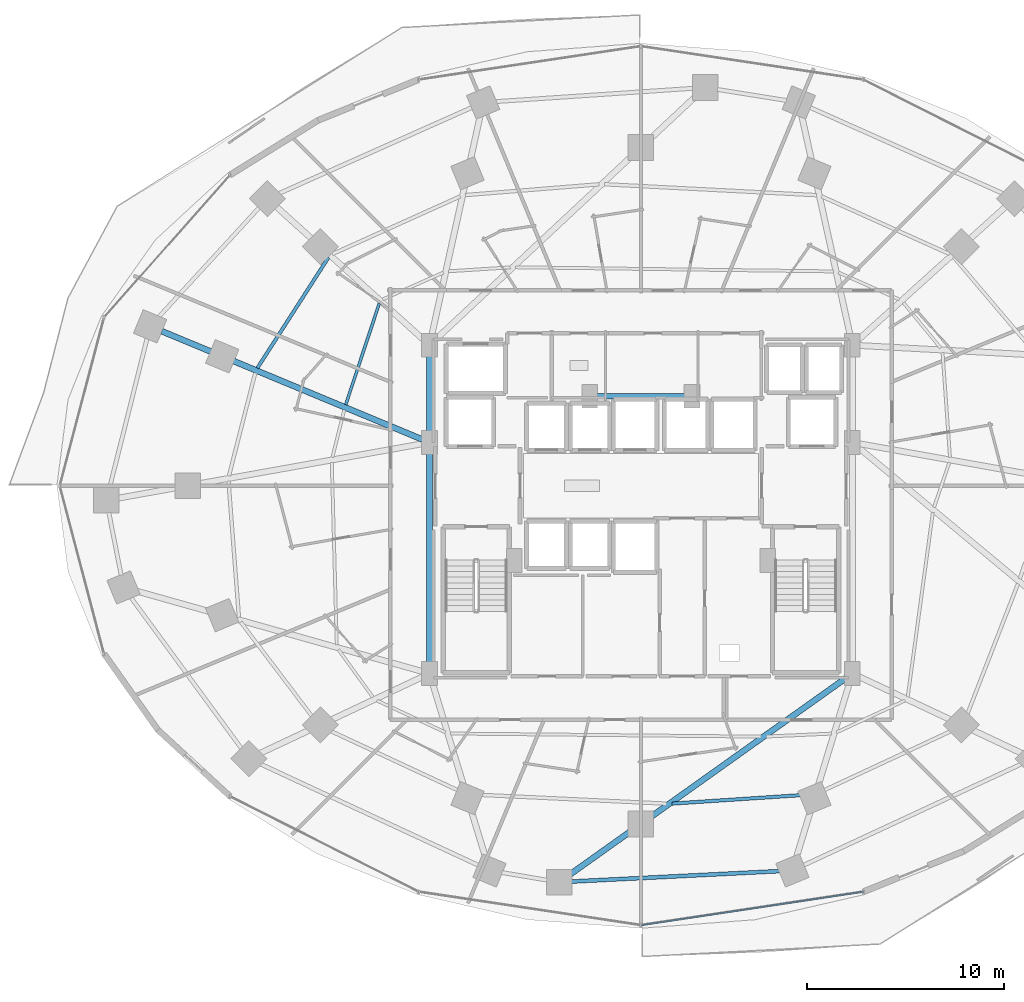
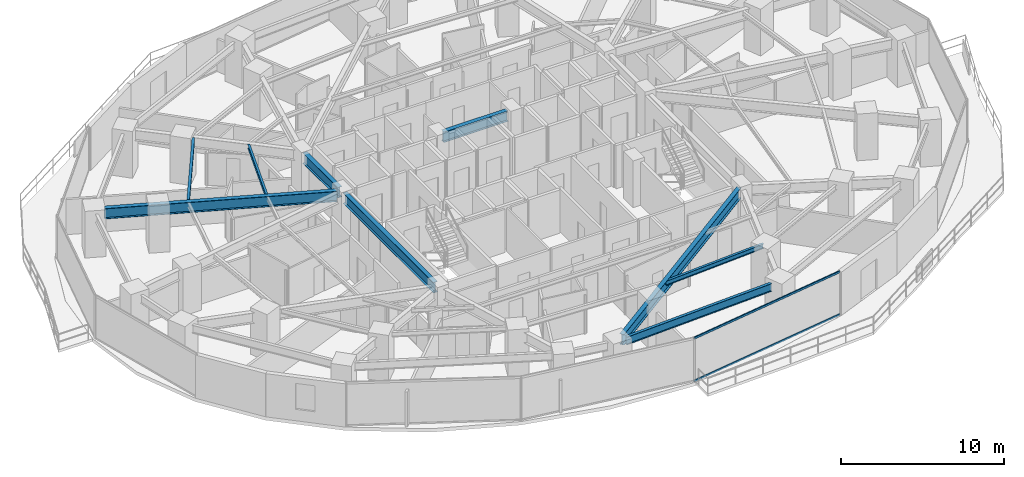
# One storey, part 11 of 34: 9 beams, 2 members, 1 element without a shape of its own.
"""IFC4 building model written with IfcOpenShell, lengths in metres."""

from ifc_helpers import new_model, si_unit, direction, frame, origin, origin_2d, place, context, subcontext, project, spatial, hollow_rectangle, i_section, extrude, material, material_profile, profile_set, type_object, element, aggregate, save


model = new_model("IFC4")

# Units and contexts
model_context = context("Model", 3, precision=1e-05, world=origin(), true_north=direction((0.0, 1.0)))
body_context = subcontext(model_context, "Body", "Model", "MODEL_VIEW")
ifc_project = project(units=[si_unit("LENGTHUNIT", "METRE"), si_unit("AREAUNIT", "SQUARE_METRE"), si_unit("VOLUMEUNIT", "CUBIC_METRE"), si_unit("PLANEANGLEUNIT", "RADIAN"), si_unit("MASSUNIT", "GRAM", prefix="KILO")], contexts=[model_context])

# Site, building, storey
site_placement = place(None, origin())
site = spatial("IfcSite", under=ifc_project, at=site_placement, CompositionType="ELEMENT")
building_placement = place(site_placement, origin())
building = spatial("IfcBuilding", under=site, at=building_placement, Name="Vorneva Point Tower", CompositionType="ELEMENT")
storey_placement = place(building_placement, frame((0.0, 0.0, 31.0)))
storey = spatial("IfcBuildingStorey", under=building, at=storey_placement, Name="L07", CompositionType="ELEMENT", Elevation=31.0)

# Beams
ifc_material_1 = material(Name="Steel S355", Category="steel")
ifc_material_profile_1 = material_profile(ifc_material_1, i_section(OverallWidth=0.300048828125, OverallDepth=0.7880859375, WebThickness=0.014404296875, FlangeThickness=0.02197265625, at=origin_2d()), Name="80Sh1")
ifc_profile_set_1 = profile_set([ifc_material_profile_1], Name="Steel S355")
beam_type_1 = type_object("IfcBeamType", Name="BM-GRD-80Sh1", PredefinedType="USERDEFINED", material=ifc_profile_set_1)
beam_1_placement = place(storey_placement, frame((13.62841796875, 33.860595703125, 2.845947265625), z_axis=(0.923441399183, -0.383739471874, 0.0), x_axis=(0.383739471874, 0.923441399183, 0.0)))
element("IfcBeam", 1, at=beam_1_placement, inside=storey, type_object=beam_type_1, Name="L07 Radial Primary Girder 08", ObjectType="GIRDER", PredefinedType="USERDEFINED", context=body_context, shape_type="SweptSolid", body=[
    extrude(i_section(OverallWidth=0.300048828125, OverallDepth=0.7880859375, WebThickness=0.014404296875, FlangeThickness=0.02197265625, at=origin_2d()), origin(), (0.0, 0.0, 1.0), 14.410888671875),
])
beam_2_placement = place(storey_placement, frame((34.360107421875, 6.209716796875, 2.845947265625), z_axis=(0.814752171819, 0.579809363943, 0.0), x_axis=(-0.579809363943, 0.814752171819, 0.0)))
element("IfcBeam", 2, at=beam_2_placement, inside=storey, type_object=beam_type_1, Name="L07 Radial Primary Girder 13", ObjectType="GIRDER", PredefinedType="USERDEFINED", context=body_context, shape_type="SweptSolid", body=[
    extrude(i_section(OverallWidth=0.300048828125, OverallDepth=0.7880859375, WebThickness=0.014404296875, FlangeThickness=0.02197265625, at=origin_2d()), origin(), (0.0, 0.0, 1.0), 17.321533203125),
])
beam_3_placement = place(storey_placement, frame((27.25, 16.77001953125, 2.845947265625), z_axis=(0.0, 1.0, 0.0), x_axis=(-1.0, 0.0, 0.0)))
element("IfcBeam", 3, at=beam_3_placement, inside=storey, type_object=beam_type_1, Name="L07 Core Tie Girder CT1", ObjectType="GIRDER", PredefinedType="USERDEFINED", context=body_context, shape_type="SweptSolid", body=[
    extrude(i_section(OverallWidth=0.300048828125, OverallDepth=0.7880859375, WebThickness=0.014404296875, FlangeThickness=0.02197265625, at=origin_2d()), origin(), (0.0, 0.0, 1.0), 11.10986328125),
])
beam_4_placement = place(storey_placement, frame((27.25, 28.52001953125, 2.845947265625), z_axis=(0.0, 1.0, 0.0), x_axis=(-1.0, 0.0, 0.0)))
element("IfcBeam", 4, at=beam_4_placement, inside=storey, type_object=beam_type_1, Name="L07 Core Tie Girder CT2", ObjectType="GIRDER", PredefinedType="USERDEFINED", context=body_context, shape_type="SweptSolid", body=[
    extrude(i_section(OverallWidth=0.300048828125, OverallDepth=0.7880859375, WebThickness=0.014404296875, FlangeThickness=0.02197265625, at=origin_2d()), origin(), (0.0, 0.0, 1.0), 4.31005859375),
])
beam_5_placement = place(storey_placement, frame((35.719970703125, 30.550048828125, 2.845947265625), z_axis=(1.0, 0.0, 0.0), x_axis=(0.0, 1.0, 0.0)))
element("IfcBeam", 5, at=beam_5_placement, inside=storey, type_object=beam_type_1, Name="L07 Core Tie Girder CT8", ObjectType="GIRDER", PredefinedType="USERDEFINED", context=body_context, shape_type="SweptSolid", body=[
    extrude(i_section(OverallWidth=0.300048828125, OverallDepth=0.7880859375, WebThickness=0.014404296875, FlangeThickness=0.02197265625, at=origin_2d()), origin(), (0.0, 0.0, 1.0), 4.56005859375),
])
ifc_material_profile_2 = material_profile(ifc_material_1, i_section(OverallWidth=0.14892578125, OverallDepth=0.298095703125, WebThickness=0.005615234375, FlangeThickness=0.008056640625, at=origin_2d()), Name="30B1")
ifc_profile_set_2 = profile_set([ifc_material_profile_2], Name="Steel S355")
beam_type_2 = type_object("IfcBeamType", Name="BM-JST-30B1", PredefinedType="JOIST", material=ifc_profile_set_2)
beam_6_placement = place(storey_placement, frame((24.69775390625, 35.28515625, 3.091064453125), z_axis=(-0.314436704085, -0.949278441304, 0.0), x_axis=(0.949278441304, -0.314436704085, 0.0)))
element("IfcBeam", 6, at=beam_6_placement, inside=storey, type_object=beam_type_2, Name="L07 Secondary Floor Beam 2.07", PredefinedType="JOIST", context=body_context, shape_type="SweptSolid", body=[
    extrude(i_section(OverallWidth=0.14892578125, OverallDepth=0.298095703125, WebThickness=0.005615234375, FlangeThickness=0.008056640625, at=origin_2d()), origin(), (0.0, 0.0, 1.0), 5.4404296875),
])
ifc_material_profile_3 = material_profile(ifc_material_1, i_section(OverallWidth=0.174072265625, OverallDepth=0.345947265625, WebThickness=0.006103515625, FlangeThickness=0.009033203125, at=origin_2d()), Name="35B1")
ifc_profile_set_3 = profile_set([ifc_material_profile_3], Name="Steel S355")
beam_type_3 = type_object("IfcBeamType", Name="BM-SEC-35B1", PredefinedType="BEAM", material=ifc_profile_set_3)
beam_7_placement = place(storey_placement, frame((22.109130859375, 37.610107421875, 3.06689453125), z_axis=(-0.540744672728, -0.841186780041, 0.0), x_axis=(0.841186780041, -0.540744672728, 0.0)))
element("IfcBeam", 7, at=beam_7_placement, inside=storey, type_object=beam_type_3, Name="L07 Secondary Floor Beam 1.07", PredefinedType="BEAM", context=body_context, shape_type="SweptSolid", body=[
    extrude(i_section(OverallWidth=0.174072265625, OverallDepth=0.345947265625, WebThickness=0.006103515625, FlangeThickness=0.009033203125, at=origin_2d()), origin(), (0.0, 0.0, 1.0), 6.68603515625),
])
beam_8_placement = place(storey_placement, frame((39.57861328125, 9.83447265625, 3.06689453125), z_axis=(0.997852471527, 0.065501489053, 0.0), x_axis=(-0.065501489053, 0.997852471527, 0.0)))
element("IfcBeam", 8, at=beam_8_placement, inside=storey, type_object=beam_type_3, Name="L07 Secondary Floor Beam 1.13", PredefinedType="BEAM", context=body_context, shape_type="SweptSolid", body=[
    extrude(i_section(OverallWidth=0.174072265625, OverallDepth=0.345947265625, WebThickness=0.006103515625, FlangeThickness=0.009033203125, at=origin_2d()), origin(), (0.0, 0.0, 1.0), 7.182373046875),
])
ifc_material_profile_4 = material_profile(ifc_material_1, i_section(OverallWidth=0.198974609375, OverallDepth=0.595947265625, WebThickness=0.010009765625, FlangeThickness=0.014892578125, at=origin_2d()), Name="60B1")
ifc_profile_set_4 = profile_set([ifc_material_profile_4], Name="Steel S355")
beam_type_4 = type_object("IfcBeamType", Name="BM-SPN-60B1", PredefinedType="SPANDREL", material=ifc_profile_set_4)
beam_9_placement = place(storey_placement, frame((34.474609375, 5.87158203125, 2.94189453125), z_axis=(0.998742793008, 0.050128169866, 0.0), x_axis=(-0.050128169866, 0.998742793008, 0.0)))
element("IfcBeam", 9, at=beam_9_placement, inside=storey, type_object=beam_type_4, Name="L07 Perimeter Spandrel Ring Beam 13", PredefinedType="SPANDREL", context=body_context, shape_type="SweptSolid", body=[
    extrude(i_section(OverallWidth=0.198974609375, OverallDepth=0.595947265625, WebThickness=0.010009765625, FlangeThickness=0.014892578125, at=origin_2d()), origin(), (0.0, 0.0, 1.0), 10.607666015625),
])

# Curtain wall, members
ifc_material_2 = material(Name="Pale anodised aluminium", Category="aluminium")
curtain_wall_type = type_object("IfcCurtainWallType", Name="CW-HTL-SYS", PredefinedType="NOTDEFINED", material=ifc_material_2)
curtain_wall_placement = place(storey_placement, origin())
curtain_wall = element("IfcCurtainWall", 10, at=curtain_wall_placement, inside=storey, type_object=curtain_wall_type, Name="L07 Unitised Curtain Wall CW-L07-R04", PredefinedType="NOTDEFINED")
ifc_material_profile_5 = material_profile(ifc_material_2, hollow_rectangle(XDim=0.074951171875, YDim=0.14990234375, WallThickness=0.00390625, at=origin_2d()), Name="AL-TRN 150x75x4")
ifc_profile_set_5 = profile_set([ifc_material_profile_5], Name="Pale anodised aluminium")
member_type = type_object("IfcMemberType", Name="CW-TRN-150", PredefinedType="USERDEFINED", material=ifc_profile_set_5)
member_1_placement = place(storey_placement, frame((38.0, 3.64990234375, 0.02001953125), z_axis=(0.988870014575, 0.148782036131, 0.0), x_axis=(-0.148782036131, 0.988870014575, 0.0)))
member_1 = element("IfcMember", 11, at=member_1_placement, type_object=member_type, Name="CW-L07-R04 Transom 03.1", ObjectType="TRANSOM", PredefinedType="USERDEFINED", context=body_context, shape_type="SweptSolid", body=[
    extrude(hollow_rectangle(XDim=0.074951171875, YDim=0.14990234375, WallThickness=0.00390625, at=origin_2d()), origin(), (0.0, 0.0, 1.0), 11.435546875),
])
member_2_placement = place(storey_placement, frame((38.0, 3.64990234375, 3.219970703125), z_axis=(0.988870014575, 0.148782036131, 0.0), x_axis=(-0.148782036131, 0.988870014575, 0.0)))
member_2 = element("IfcMember", 12, at=member_2_placement, type_object=member_type, Name="CW-L07-R04 Transom 03.2", ObjectType="TRANSOM", PredefinedType="USERDEFINED", context=body_context, shape_type="SweptSolid", body=[
    extrude(hollow_rectangle(XDim=0.074951171875, YDim=0.14990234375, WallThickness=0.00390625, at=origin_2d()), origin(), (0.0, 0.0, 1.0), 11.435546875),
])
aggregate(curtain_wall, [member_1, member_2])

save(model, "model.ifc")
